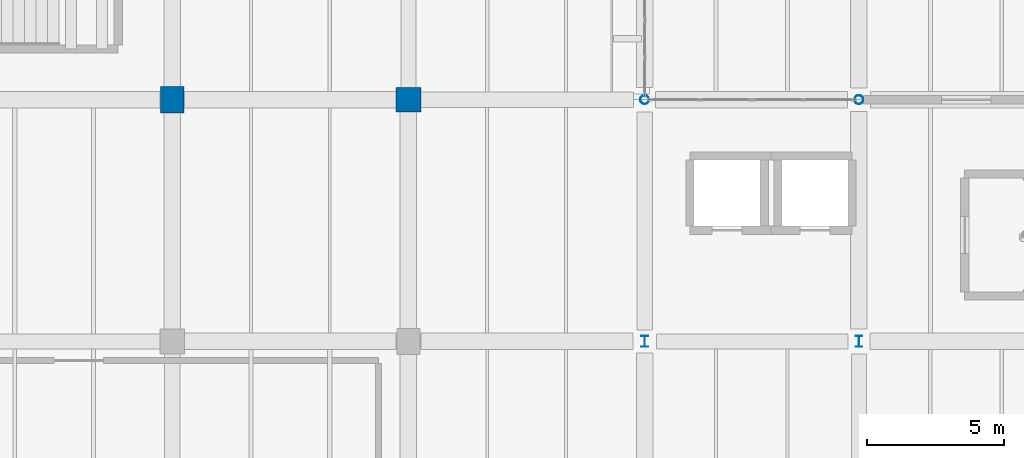
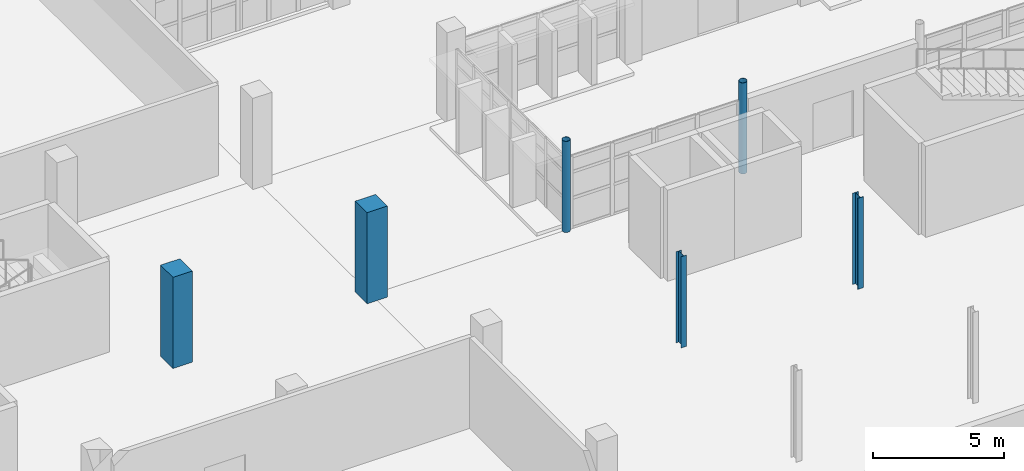
# One storey, part 3 of 76: 6 columns.
"""IFC4 building model written with IfcOpenShell, lengths in metres."""

import ifcopenshell
import ifcopenshell.guid

model = None  # the IFC model being written
_history = None  # IfcOwnerHistory: only IFC2X3 demands one
_inside = {}  # id of a spatial element -> (the spatial element, [elements in it])
_under = {}  # id of a project, library or spatial element -> (it, [spatial elements below it])
_declared = {}  # id of a project -> (the project, [libraries it declares])
_typed = {}  # id of a type object -> (the type object, [elements of that type])
_made_of = {}  # id of a material, layer set ... -> (it, [elements and type objects made of it])


def new_model(schema):
    """Start an empty IFC model of exactly this schema.

    Asked for "IFC4X3", IfcOpenShell would pick the latest addendum, in which some entities
    have other attributes; the version numbers below select the first issue.
    IFC2X3 requires an IfcOwnerHistory on every rooted entity: one is made here for all.
    """
    global model, _history
    if schema == "IFC4X3":
        model = ifcopenshell.file(schema_version=(4, 3, 0, 0))
    else:
        model = ifcopenshell.file(schema=schema)
    _inside.clear()
    _under.clear()
    _declared.clear()
    _typed.clear()
    _made_of.clear()
    _history = None
    if model.schema == "IFC2X3":
        org = make("IfcOrganization", Name="unknown")
        user = make(
            "IfcPersonAndOrganization",
            ThePerson=make("IfcPerson", FamilyName="unknown"),
            TheOrganization=org,
        )
        app = make(
            "IfcApplication",
            ApplicationDeveloper=org,
            Version="unknown",
            ApplicationFullName="unknown",
            ApplicationIdentifier="unknown",
        )
        _history = make(
            "IfcOwnerHistory",
            OwningUser=user,
            OwningApplication=app,
            ChangeAction="ADDED",
            CreationDate=0,
        )
    return model


def make(cls, **values):
    """One entity of the class cls with the attributes given. An attribute that is None is left unset."""
    return model.create_entity(
        cls, **{name: value for name, value in values.items() if value is not None}
    )


def rooted(cls, **values):
    """An entity with a GlobalId (a new one), such as an element, a storey or a relation."""
    return make(cls, GlobalId=ifcopenshell.guid.new(), OwnerHistory=_history, **values)


def si_unit(unit_type, name, prefix=None):
    """IfcSIUnit, for example si_unit("LENGTHUNIT", "METRE", prefix="MILLI")."""
    return make("IfcSIUnit", UnitType=unit_type, Prefix=prefix, Name=name)


def assignment(units):
    """IfcUnitAssignment: the units of a project."""
    return None if units is None else make("IfcUnitAssignment", Units=units)


def point(xyz):
    """IfcCartesianPoint."""
    return None if xyz is None else make("IfcCartesianPoint", Coordinates=xyz)


def direction(xyz):
    """IfcDirection."""
    return None if xyz is None else make("IfcDirection", DirectionRatios=xyz)


def frame(location, z_axis=None, x_axis=None):
    """IfcAxis2Placement3D, a coordinate frame: its origin and axes. An axis left out is left unset."""
    return make(
        "IfcAxis2Placement3D",
        Location=point(location),
        Axis=direction(z_axis),
        RefDirection=direction(x_axis),
    )


def frame_2d(location, x_axis=None):
    """IfcAxis2Placement2D, a coordinate frame in the plane: its origin and x axis."""
    return make(
        "IfcAxis2Placement2D", Location=point(location), RefDirection=direction(x_axis)
    )


def origin():
    """The frame at (0, 0, 0) with its axes left unset."""
    return frame((0.0, 0.0, 0.0))


def origin_2d():
    """The frame at (0, 0) in the plane with its x axis left unset."""
    return frame_2d((0.0, 0.0))


def place(relative_to, where):
    """IfcLocalPlacement: puts the frame where relative to a parent placement (None: the world)."""
    return make(
        "IfcLocalPlacement", PlacementRelTo=relative_to, RelativePlacement=where
    )


def context(
    kind, dimensions, precision=None, world=None, true_north=None, identifier=None
):
    """IfcGeometricRepresentationContext, for example the 3D "Model" context."""
    return make(
        "IfcGeometricRepresentationContext",
        ContextIdentifier=identifier,
        ContextType=kind,
        CoordinateSpaceDimension=dimensions,
        Precision=precision,
        WorldCoordinateSystem=world,
        TrueNorth=true_north,
    )


def subcontext(parent, identifier, kind, view, scale=None):
    """IfcGeometricRepresentationSubContext, for example "Body" below "Model"."""
    return make(
        "IfcGeometricRepresentationSubContext",
        ContextIdentifier=identifier,
        ContextType=kind,
        ParentContext=parent,
        TargetScale=scale,
        TargetView=view,
    )


def project(units=None, contexts=None):
    """IfcProject with its units and contexts."""
    return rooted(
        "IfcProject",
        Name="project",
        RepresentationContexts=contexts,
        UnitsInContext=assignment(units),
    )


def spatial(cls, under=None, at=None, **own):
    """A site, building, storey or space (cls), placed at a placement, below another one or the project."""
    s = rooted(cls, ObjectPlacement=at, **own)
    if under is not None:
        _under.setdefault(under.id(), (under, []))[1].append(s)
    return s


def profile(cls, at=None, kind="AREA", **sizes):
    """A parametric profile (cls). Its sizes go by their IFC names, for example OverallWidth=200.0."""
    return make(cls, ProfileType=kind, Position=at, **sizes)


def rectangle(**sizes):
    """IfcRectangleProfileDef."""
    return profile("IfcRectangleProfileDef", **sizes)


def hollow_circle(**sizes):
    """IfcCircleHollowProfileDef."""
    return profile("IfcCircleHollowProfileDef", **sizes)


def i_section(**sizes):
    """IfcIShapeProfileDef."""
    return profile("IfcIShapeProfileDef", **sizes)


def extrude(swept, where, along, depth):
    """IfcExtrudedAreaSolid: the profile swept, set in the frame where, extruded along a direction by depth."""
    return make(
        "IfcExtrudedAreaSolid",
        SweptArea=swept,
        Position=where,
        ExtrudedDirection=direction(along),
        Depth=depth,
    )


def shape(context_of_items, identifier, shape_type, items):
    """IfcShapeRepresentation: the items that make up one representation, for example the "Body"."""
    return make(
        "IfcShapeRepresentation",
        ContextOfItems=context_of_items,
        RepresentationIdentifier=identifier,
        RepresentationType=shape_type,
        Items=items,
    )


def material(Name=None, Category=None):
    """IfcMaterial."""
    return make("IfcMaterial", Name=Name, Category=Category)


def material_profile(
    of_material, cross_section, Name=None, Category=None, Priority=None
):
    """IfcMaterialProfile: a cross section and its material."""
    return make(
        "IfcMaterialProfile",
        Name=Name,
        Material=of_material,
        Profile=cross_section,
        Priority=Priority,
        Category=Category,
    )


def profile_set(profiles, Name=None, composite=None):
    """IfcMaterialProfileSet."""
    return make(
        "IfcMaterialProfileSet",
        Name=Name,
        MaterialProfiles=profiles,
        CompositeProfile=composite,
    )


def made_of(thing, what):
    """Note that an element or type object is made of a material, layer set ...; save() writes the relation."""
    if what is not None:
        _made_of.setdefault(what.id(), (what, []))[1].append(thing)
    return thing


def type_object(cls, material=None, **own):
    """A type object (cls), such as IfcWallType, which elements share."""
    return made_of(rooted(cls, **own), material)


def element(
    cls,
    number,
    at=None,
    inside=None,
    cuts=None,
    type_object=None,
    material=None,
    context=None,
    identifier="Body",
    shape_type=None,
    held_by="IfcProductDefinitionShape",
    body=None,
    shapes=None,
    **own,
):
    """One element of the class cls, such as IfcWall. Its Tag is "e" and its number.

    at: its placement. inside: the storey or other place that contains it. cuts: it is an
    opening in that element (IfcRelVoidsElement). A single representation is given by context,
    identifier, shape_type and body (its items); several are given by shapes. held_by: the class
    of the entity that holds the representations. save() writes the other relations.
    """
    e = rooted(cls, Tag="e%d" % number, ObjectPlacement=at, **own)
    if body is not None:
        shapes = [shape(context, identifier, shape_type, body)]
    if shapes is not None:
        e.Representation = make(held_by, Representations=shapes)
    if inside is not None:
        _inside.setdefault(inside.id(), (inside, []))[1].append(e)
    if cuts is not None:
        rooted(
            "IfcRelVoidsElement", RelatingBuildingElement=cuts, RelatedOpeningElement=e
        )
    if type_object is not None:
        _typed.setdefault(type_object.id(), (type_object, []))[1].append(e)
    return made_of(e, material)


def aggregate(whole, parts):
    """IfcRelAggregates: a whole, such as a stair, and the parts it consists of."""
    return rooted("IfcRelAggregates", RelatingObject=whole, RelatedObjects=parts)


def save(model, path):
    """Write the relations noted so far, then the file.

    IfcRelAggregates (storeys below a building ...), IfcRelContainedInSpatialStructure (elements
    in a storey), IfcRelDefinesByType, IfcRelAssociatesMaterial and IfcRelDeclares: one each for
    every whole, place, type object, material and project.
    """
    for whole, parts in _under.values():
        aggregate(whole, parts)
    for where, things in _inside.values():
        rooted(
            "IfcRelContainedInSpatialStructure",
            RelatedElements=things,
            RelatingStructure=where,
        )
    for kind, things in _typed.values():
        rooted("IfcRelDefinesByType", RelatedObjects=things, RelatingType=kind)
    for what, things in _made_of.values():
        rooted("IfcRelAssociatesMaterial", RelatedObjects=things, RelatingMaterial=what)
    for by, libraries in _declared.values():
        rooted("IfcRelDeclares", RelatingContext=by, RelatedDefinitions=libraries)
    model.write(path)


model = new_model("IFC4")

# Units and contexts
model_context = context("Model", 3, precision=1e-05, world=origin(), true_north=direction((0.0, 1.0)))
body_context = subcontext(model_context, "Body", "Model", "MODEL_VIEW")
ifc_project = project(units=[si_unit("LENGTHUNIT", "METRE"), si_unit("AREAUNIT", "SQUARE_METRE"), si_unit("VOLUMEUNIT", "CUBIC_METRE"), si_unit("PLANEANGLEUNIT", "RADIAN"), si_unit("MASSUNIT", "GRAM", prefix="KILO")], contexts=[model_context])

# Site, building, storey
site_placement = place(None, origin())
site = spatial("IfcSite", under=ifc_project, at=site_placement, CompositionType="ELEMENT")
building_placement = place(site_placement, origin())
building = spatial("IfcBuilding", under=site, at=building_placement, Name="Varnakota Cinema and Media Centre", CompositionType="ELEMENT")
storey_placement = place(building_placement, origin())
storey = spatial("IfcBuildingStorey", under=building, at=storey_placement, Name="L00", CompositionType="ELEMENT", Elevation=0.0)

# Columns
ifc_material_1 = material(Name="Concrete M50", Category="concrete")
ifc_material_profile_1 = material_profile(ifc_material_1, rectangle(XDim=0.85009765625, YDim=0.949951171875, at=origin_2d()), Name="RC 850x950")
ifc_profile_set_1 = profile_set([ifc_material_profile_1], Name="Concrete M50")
column_type_1 = type_object("IfcColumnType", Name="COL-RC-850x950", PredefinedType="COLUMN", material=ifc_profile_set_1)
column_1_placement = place(storey_placement, frame((34.39990234375, 26.39990234375, 0.0), z_axis=(0.0, 0.0, 1.0), x_axis=(1.0, 0.0, 0.0)))
element("IfcColumn", 1, at=column_1_placement, inside=storey, type_object=column_type_1, Name="L00 column E/4", PredefinedType="COLUMN", context=body_context, shape_type="SweptSolid", body=[
    extrude(rectangle(XDim=0.85009765625, YDim=0.949951171875, at=origin_2d()), origin(), (0.0, 0.0, 1.0), 4.25),
])
ifc_material_2 = material(Name="Concrete M50", Category="concrete")
ifc_material_profile_2 = material_profile(ifc_material_2, rectangle(XDim=0.89990234375, YDim=0.89990234375, at=origin_2d()), Name="RC 900x900")
ifc_profile_set_2 = profile_set([ifc_material_profile_2], Name="Concrete M50")
column_type_2 = type_object("IfcColumnType", Name="COL-RC-900x900", PredefinedType="COLUMN", material=ifc_profile_set_2)
column_2_placement = place(storey_placement, frame((43.0, 26.39990234375, 0.0), z_axis=(0.0, 0.0, 1.0), x_axis=(1.0, 0.0, 0.0)))
element("IfcColumn", 2, at=column_2_placement, inside=storey, type_object=column_type_2, Name="L00 column F/4", PredefinedType="COLUMN", context=body_context, shape_type="SweptSolid", body=[
    extrude(rectangle(XDim=0.89990234375, YDim=0.89990234375, at=origin_2d()), origin(), (0.0, 0.0, 1.0), 4.25),
])
ifc_material_3 = material(Name="Structural steel S355 (YSt 355)", Category="steel")
ifc_material_profile_3 = material_profile(ifc_material_3, hollow_circle(Radius=0.161865234375, WallThickness=0.010009765625, at=origin_2d()), Name="CHS 323.9x10.0")
ifc_profile_set_3 = profile_set([ifc_material_profile_3], Name="Structural steel S355 (YSt 355)")
column_type_3 = type_object("IfcColumnType", Name="COL-ST-CHS324", PredefinedType="COLUMN", material=ifc_profile_set_3)
for number, where, z_axis, x_axis, name in (
    (3, (51.60009765625, 26.39990234375, 0.0), (0.0, 0.0, 1.0), (1.0, 0.0, 0.0), "L00 column G/4"),
    (4, (59.39990234375, 26.39990234375, 0.0), (0.0, 0.0, 1.0), (1.0, 0.0, 0.0), "L00 column H/4"),
):
    element("IfcColumn", number, at=place(storey_placement, frame(where, z_axis=z_axis, x_axis=x_axis)), inside=storey, type_object=column_type_3, Name=name, PredefinedType="COLUMN", context=body_context, shape_type="SweptSolid", body=[
        extrude(hollow_circle(Radius=0.161865234375, WallThickness=0.010009765625, at=origin_2d()), origin(), (0.0, 0.0, 1.0), 4.25),
    ])
ifc_material_4 = material(Name="Structural steel Grade 350 (E350)", Category="steel")
ifc_material_profile_4 = material_profile(ifc_material_4, i_section(OverallWidth=0.25, OverallDepth=0.39990234375, WebThickness=0.010498046875, FlangeThickness=0.0126953125, FilletRadius=0.011962890625, at=origin_2d()), Name="ISHB 400")
ifc_profile_set_4 = profile_set([ifc_material_profile_4], Name="Structural steel Grade 350 (E350)")
column_type_4 = type_object("IfcColumnType", Name="COL-ST-ISHB400", PredefinedType="COLUMN", material=ifc_profile_set_4)
for number, where, z_axis, x_axis, name in (
    (5, (51.60009765625, 17.60009765625, 0.0), (0.0, 0.0, 1.0), (1.0, 0.0, 0.0), "L00 column G/3"),
    (6, (59.39990234375, 17.60009765625, 0.0), (0.0, 0.0, 1.0), (1.0, 0.0, 0.0), "L00 column H/3"),
):
    element("IfcColumn", number, at=place(storey_placement, frame(where, z_axis=z_axis, x_axis=x_axis)), inside=storey, type_object=column_type_4, Name=name, PredefinedType="COLUMN", context=body_context, shape_type="SweptSolid", body=[
        extrude(i_section(OverallWidth=0.25, OverallDepth=0.39990234375, WebThickness=0.010498046875, FlangeThickness=0.0126953125, FilletRadius=0.011962890625, at=origin_2d()), origin(), (0.0, 0.0, 1.0), 4.25),
    ])

save(model, "model.ifc")
